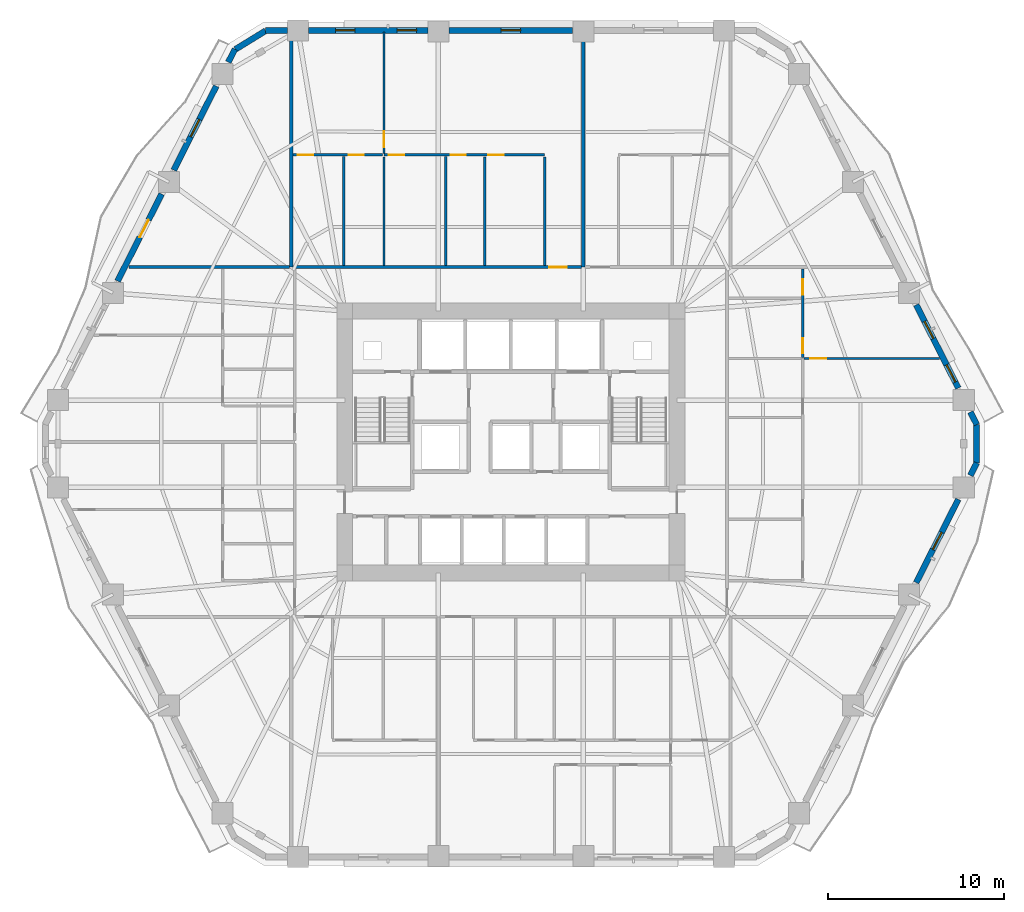
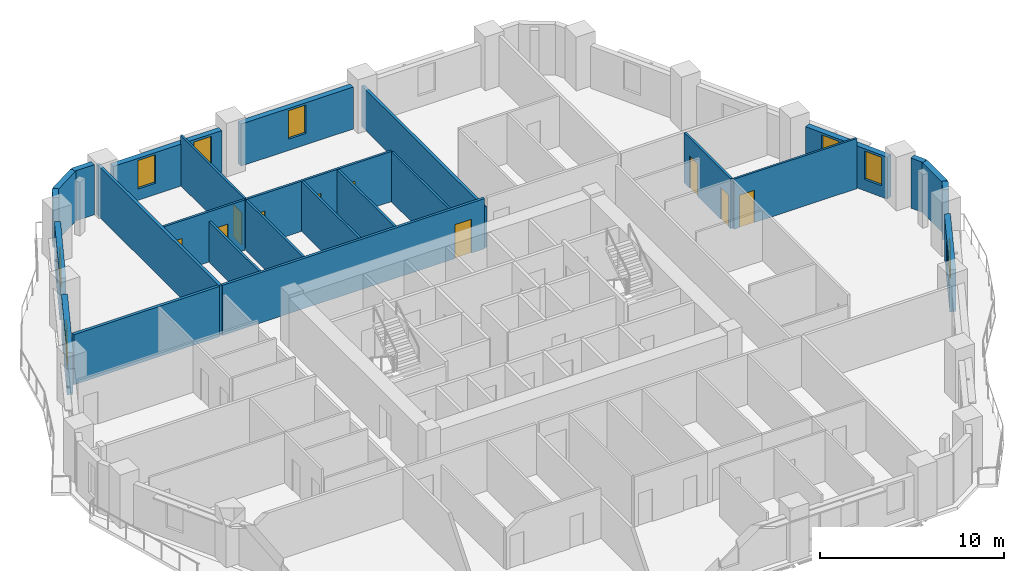
# One storey, part 7 of 14: 26 walls, 11 doors, 7 windows, 18 openings.
"""IFC4 building model written with IfcOpenShell, lengths in metres."""

from ifc_helpers import new_model, si_unit, direction, frame, frame_2d, origin, place, context, subcontext, project, spatial, rectangle, extrude, material, layer, layer_set, type_object, element, fill, save


model = new_model("IFC4")

# Units and contexts
model_context = context("Model", 3, precision=1e-05, world=origin(), true_north=direction((0.0, 1.0)))
body_context = subcontext(model_context, "Body", "Model", "MODEL_VIEW")
ifc_project = project(units=[si_unit("LENGTHUNIT", "METRE"), si_unit("AREAUNIT", "SQUARE_METRE"), si_unit("VOLUMEUNIT", "CUBIC_METRE"), si_unit("PLANEANGLEUNIT", "RADIAN"), si_unit("MASSUNIT", "GRAM", prefix="KILO")], contexts=[model_context])

# Site, building, storey
site_placement = place(None, origin())
site = spatial("IfcSite", under=ifc_project, at=site_placement, CompositionType="ELEMENT")
building_placement = place(site_placement, origin())
building = spatial("IfcBuilding", under=site, at=building_placement, Name="Cinnabar Lancet Tower", CompositionType="ELEMENT")
storey_placement = place(building_placement, frame((0.0, 0.0, 35.550048828125)))
storey = spatial("IfcBuildingStorey", under=building, at=storey_placement, Name="L08", CompositionType="ELEMENT", Elevation=35.550048828125)

# Wall, opening, door
ifc_material_1 = material(Name="Acoustic twin-stud gypsum partition", Category="gypsum")
ifc_layer_1 = layer(ifc_material_1, 0.159912109375)
ifc_layer_set_1 = layer_set([ifc_layer_1], Name="Acoustic twin-stud gypsum partition")
wall_type_1 = type_object("IfcWallType", Name="ARC-WL-CORR-160", PredefinedType="PARTITIONING", material=ifc_layer_set_1)
wall_1_placement = place(storey_placement, frame((19.9951171875, 35.85009765625, 0.0), z_axis=(0.0, 0.0, 1.0), x_axis=(1.0, 0.0, 0.0)))
wall_1 = element("IfcWall", 1, at=wall_1_placement, inside=storey, type_object=wall_type_1, Name="L08 Unit N01 Corridor Wall", PredefinedType="PARTITIONING", context=body_context, shape_type="SweptSolid", body=[
    extrude(rectangle(XDim=16.431884765625, YDim=0.159912109375, at=frame_2d((8.2158203125, 0.0))), origin(), (0.0, 0.0, 1.0), 3.329833984375),
])
opening_1_placement = place(wall_1_placement, frame((14.576904296875, 0.0, 0.0)))
opening_1 = element("IfcOpeningElement", 2, at=opening_1_placement, cuts=wall_1, Name="Opening UD-01", PredefinedType="OPENING", context=body_context, shape_type="SweptSolid", body=[
    extrude(rectangle(XDim=1.02001953125, YDim=2.25, at=frame_2d((0.510009765625, 1.125))), frame((0.0, 0.08984375, 0.0), z_axis=(0.0, -1.0, 0.0), x_axis=(1.0, 0.0, 0.0)), (0.0, 0.0, 1.0), 0.179931640625),
])
ifc_material_2 = material(Name="Solid timber fire-rated apartment entrance door", Category="wood")
door_type_1 = type_object("IfcDoorType", Name="ARC-DR-UNIT", OperationType="NOTDEFINED", PredefinedType="DOOR", material=ifc_material_2)
door_1_placement = place(opening_1_placement, origin())
door_1 = element("IfcDoor", 3, at=door_1_placement, inside=storey, type_object=door_type_1, Name="DR-L08-N01-ENT", OperationType="SINGLE_SWING_LEFT", OverallHeight=2.25, OverallWidth=1.02001953125, PredefinedType="DOOR", context=body_context, shape_type="SweptSolid", body=[
    extrude(rectangle(XDim=1.02001953125, YDim=2.25, at=frame_2d((0.510009765625, 1.125))), frame((0.0, 0.02490234375, 0.0), z_axis=(0.0, -1.0, 0.0), x_axis=(1.0, 0.0, 0.0)), (0.0, 0.0, 1.0), 0.050048828125),
])
fill(opening_1, door_1)

# Walls
ifc_material_3 = material(Name="Fire-rated twin-frame acoustic drywall", Category="gypsum")
ifc_layer_2 = layer(ifc_material_3, 0.179931640625)
ifc_layer_set_2 = layer_set([ifc_layer_2], Name="Fire-rated twin-frame acoustic drywall")
wall_type_2 = type_object("IfcWallType", Name="ARC-WL-PARTY-180", PredefinedType="PARTITIONING", material=ifc_layer_set_2)
wall_2_placement = place(storey_placement, frame((19.89990234375, 35.85009765625, 0.0), z_axis=(0.0, 0.0, 1.0), x_axis=(0.0, 1.0, 0.0)))
element("IfcWall", 4, at=wall_2_placement, inside=storey, type_object=wall_type_2, Name="PW-L08-NPTY-199", PredefinedType="PARTITIONING", context=body_context, shape_type="SweptSolid", body=[
    extrude(rectangle(XDim=13.294921875, YDim=0.179931640625, at=frame_2d((6.6474609375, 0.0))), origin(), (0.0, 0.0, 1.0), 3.329833984375),
])
wall_3_placement = place(storey_placement, frame((36.52197265625, 35.85009765625, 0.0), z_axis=(0.0, 0.0, 1.0), x_axis=(0.0, 1.0, 0.0)))
element("IfcWall", 5, at=wall_3_placement, inside=storey, type_object=wall_type_2, Name="PW-L08-NPTY-365", PredefinedType="PARTITIONING", context=body_context, shape_type="SweptSolid", body=[
    extrude(rectangle(XDim=13.294921875, YDim=0.179931640625, at=frame_2d((6.6474609375, 0.0))), origin(), (0.0, 0.0, 1.0), 2.699951171875),
])
wall_4_placement = place(storey_placement, frame((10.6650390625, 35.85009765625, 0.0), z_axis=(0.0, 0.0, 1.0), x_axis=(1.0, 0.0, 0.0)))
element("IfcWall", 6, at=wall_4_placement, inside=storey, type_object=wall_type_2, Name="PW-L08-WNB", PredefinedType="PARTITIONING", context=body_context, shape_type="SweptSolid", body=[
    extrude(rectangle(XDim=9.139892578125, YDim=0.179931640625, at=frame_2d((4.56982421875, 0.0))), origin(), (0.0, 0.0, 1.0), 3.329833984375),
])
ifc_material_4 = material(Name="Gypsum plasterboard stud partition", Category="gypsum")
ifc_layer_3 = layer(ifc_material_4, 0.125)
ifc_layer_set_3 = layer_set([ifc_layer_3], Name="Gypsum plasterboard stud partition")
wall_type_3 = type_object("IfcWallType", Name="ARC-WL-UNIT-125", PredefinedType="PARTITIONING", material=ifc_layer_set_3)
wall_5_placement = place(storey_placement, frame((34.322021484375, 35.93505859375, 0.0), z_axis=(0.0, 0.0, 1.0), x_axis=(0.0, 1.0, 0.0)))
element("IfcWall", 7, at=wall_5_placement, inside=storey, type_object=wall_type_3, Name="UW-L08-N01-FOYW", PredefinedType="PARTITIONING", context=body_context, shape_type="SweptSolid", body=[
    extrude(rectangle(XDim=6.19189453125, YDim=0.125, at=frame_2d((3.095947265625, 0.0))), origin(), (0.0, 0.0, 1.0), 3.329833984375),
])

# Wall, opening, door
wall_6_placement = place(storey_placement, frame((25.179931640625, 42.306884765625, 0.0), z_axis=(0.0, 0.0, 1.0), x_axis=(0.0, 1.0, 0.0)))
wall_6 = element("IfcWall", 8, at=wall_6_placement, inside=storey, type_object=wall_type_3, Name="UW-L08-N01-MBW", PredefinedType="PARTITIONING", context=body_context, shape_type="SweptSolid", body=[
    extrude(rectangle(XDim=6.92822265625, YDim=0.125, at=frame_2d((3.464111328125, 0.0))), origin(), (0.0, 0.0, 1.0), 3.329833984375),
])
opening_2_placement = place(wall_6_placement, frame((0.35009765625, 0.0, 0.0)))
opening_2 = element("IfcOpeningElement", 9, at=opening_2_placement, cuts=wall_6, Name="Opening RD-01", PredefinedType="OPENING", context=body_context, shape_type="SweptSolid", body=[
    extrude(rectangle(XDim=0.919921875, YDim=2.14990234375, at=frame_2d((0.4599609375, 1.074951171875))), frame((0.0, 0.072509765625, 0.0), z_axis=(0.0, -1.0, 0.0), x_axis=(1.0, 0.0, 0.0)), (0.0, 0.0, 1.0), 0.14501953125),
])
ifc_material_5 = material(Name="Engineered timber bedroom door", Category="wood")
door_type_2 = type_object("IfcDoorType", Name="ARC-DR-ROOM", OperationType="NOTDEFINED", PredefinedType="DOOR", material=ifc_material_5)
door_2_placement = place(opening_2_placement, origin())
door_2 = element("IfcDoor", 10, at=door_2_placement, inside=storey, type_object=door_type_2, Name="DR-L08-N01-MBD", OperationType="SINGLE_SWING_RIGHT", OverallHeight=2.14990234375, OverallWidth=0.919921875, PredefinedType="DOOR", context=body_context, shape_type="SweptSolid", body=[
    extrude(rectangle(XDim=0.919921875, YDim=2.14990234375, at=frame_2d((0.4599609375, 1.074951171875))), frame((0.0, 0.02490234375, 0.0), z_axis=(0.0, -1.0, 0.0), x_axis=(1.0, 0.0, 0.0)), (0.0, 0.0, 1.0), 0.050048828125),
])
fill(opening_2, door_2)

wall_7_placement = place(storey_placement, frame((49.074951171875, 30.64892578125, 0.0), z_axis=(0.0, 0.0, 1.0), x_axis=(1.0, 0.0, 0.0)))
wall_7 = element("IfcWall", 11, at=wall_7_placement, inside=storey, type_object=wall_type_3, Name="UW-L08-E01-MBN", PredefinedType="PARTITIONING", context=body_context, shape_type="SweptSolid", body=[
    extrude(rectangle(XDim=7.70703125, YDim=0.125, at=frame_2d((3.853515625, 0.0))), origin(), (0.0, 0.0, 1.0), 3.329833984375),
])
opening_3_placement = place(wall_7_placement, frame((0.35009765625, 0.0, 0.0)))
opening_3 = element("IfcOpeningElement", 12, at=opening_3_placement, cuts=wall_7, Name="Opening RD-01", PredefinedType="OPENING", context=body_context, shape_type="SweptSolid", body=[
    extrude(rectangle(XDim=0.919921875, YDim=2.14990234375, at=frame_2d((0.4599609375, 1.074951171875))), frame((0.0, 0.072509765625, 0.0), z_axis=(0.0, -1.0, 0.0), x_axis=(1.0, 0.0, 0.0)), (0.0, 0.0, 1.0), 0.14501953125),
])
door_3_placement = place(opening_3_placement, origin())
door_3 = element("IfcDoor", 13, at=door_3_placement, inside=storey, type_object=door_type_2, Name="DR-L08-E01-MBD", OperationType="SINGLE_SWING_LEFT", OverallHeight=2.14990234375, OverallWidth=0.919921875, PredefinedType="DOOR", context=body_context, shape_type="SweptSolid", body=[
    extrude(rectangle(XDim=0.919921875, YDim=2.14990234375, at=frame_2d((0.4599609375, 1.074951171875))), frame((0.0, 0.02490234375, 0.0), z_axis=(0.0, -1.0, 0.0), x_axis=(1.0, 0.0, 0.0)), (0.0, 0.0, 1.0), 0.050048828125),
])
fill(opening_3, door_3)

# Wall, openings, doors
ifc_material_6 = material(Name="Moisture-resistant cement-board plumbing wall", Category="masonry")
ifc_layer_4 = layer(ifc_material_6, 0.139892578125)
ifc_layer_set_4 = layer_set([ifc_layer_4], Name="Moisture-resistant cement-board plumbing wall")
wall_type_4 = type_object("IfcWallType", Name="ARC-WL-WET-140", PredefinedType="PLUMBINGWALL", material=ifc_layer_set_4)
wall_8_placement = place(storey_placement, frame((25.179931640625, 42.23193359375, 0.0), z_axis=(0.0, 0.0, 1.0), x_axis=(1.0, 0.0, 0.0)))
wall_8 = element("IfcWall", 14, at=wall_8_placement, inside=storey, type_object=wall_type_4, Name="UW-L08-N01-SPL", PredefinedType="PLUMBINGWALL", context=body_context, shape_type="SweptSolid", body=[
    extrude(rectangle(XDim=9.14208984375, YDim=0.139892578125, at=frame_2d((4.571044921875, 0.0))), origin(), (0.0, 0.0, 1.0), 3.329833984375),
])
opening_4_placement = place(wall_8_placement, frame((0.280029296875, 0.0, 0.0)))
opening_4 = element("IfcOpeningElement", 15, at=opening_4_placement, cuts=wall_8, Name="Opening RD-02", PredefinedType="OPENING", context=body_context, shape_type="SweptSolid", body=[
    extrude(rectangle(XDim=0.8798828125, YDim=2.14990234375, at=frame_2d((0.43994140625, 1.074951171875))), frame((0.0, 0.079833984375, 0.0), z_axis=(0.0, -1.0, 0.0), x_axis=(1.0, 0.0, 0.0)), (0.0, 0.0, 1.0), 0.159912109375),
])
opening_5_placement = place(wall_8_placement, frame((3.803955078125, 0.0, 0.0)))
opening_5 = element("IfcOpeningElement", 16, at=opening_5_placement, cuts=wall_8, Name="Opening BD-01", PredefinedType="OPENING", context=body_context, shape_type="SweptSolid", body=[
    extrude(rectangle(XDim=0.860107421875, YDim=2.10009765625, at=frame_2d((0.43017578125, 1.050048828125))), frame((0.0, 0.079833984375, 0.0), z_axis=(0.0, -1.0, 0.0), x_axis=(1.0, 0.0, 0.0)), (0.0, 0.0, 1.0), 0.159912109375),
])
opening_6_placement = place(wall_8_placement, frame((5.94189453125, 0.0, 0.0)))
opening_6 = element("IfcOpeningElement", 17, at=opening_6_placement, cuts=wall_8, Name="Opening RD-02", PredefinedType="OPENING", context=body_context, shape_type="SweptSolid", body=[
    extrude(rectangle(XDim=0.8798828125, YDim=2.14990234375, at=frame_2d((0.43994140625, 1.074951171875))), frame((0.0, 0.079833984375, 0.0), z_axis=(0.0, -1.0, 0.0), x_axis=(1.0, 0.0, 0.0)), (0.0, 0.0, 1.0), 0.159912109375),
])
ifc_material_7 = material(Name="Moisture-resistant timber bathroom door", Category="wood")
door_type_3 = type_object("IfcDoorType", Name="ARC-DR-BATH", OperationType="NOTDEFINED", PredefinedType="DOOR", material=ifc_material_7)
door_4_placement = place(opening_5_placement, origin())
door_4 = element("IfcDoor", 18, at=door_4_placement, inside=storey, type_object=door_type_3, Name="DR-L08-N01-BTH", OperationType="SINGLE_SWING_LEFT", OverallHeight=2.10009765625, OverallWidth=0.860107421875, PredefinedType="DOOR", context=body_context, shape_type="SweptSolid", body=[
    extrude(rectangle(XDim=0.860107421875, YDim=2.10009765625, at=frame_2d((0.43017578125, 1.050048828125))), frame((0.0, 0.02490234375, 0.0), z_axis=(0.0, -1.0, 0.0), x_axis=(1.0, 0.0, 0.0)), (0.0, 0.0, 1.0), 0.050048828125),
])
fill(opening_5, door_4)
ifc_material_8 = material(Name="Engineered timber study door", Category="wood")
door_type_4 = type_object("IfcDoorType", Name="ARC-DR-STUDY", OperationType="NOTDEFINED", PredefinedType="DOOR", material=ifc_material_8)
door_5_placement = place(opening_4_placement, origin())
door_5 = element("IfcDoor", 19, at=door_5_placement, inside=storey, type_object=door_type_4, Name="DR-L08-N01-BTH-WDR", OperationType="SINGLE_SWING_RIGHT", OverallHeight=2.14990234375, OverallWidth=0.8798828125, PredefinedType="DOOR", context=body_context, shape_type="SweptSolid", body=[
    extrude(rectangle(XDim=0.8798828125, YDim=2.14990234375, at=frame_2d((0.43994140625, 1.074951171875))), frame((0.0, 0.02490234375, 0.0), z_axis=(0.0, -1.0, 0.0), x_axis=(1.0, 0.0, 0.0)), (0.0, 0.0, 1.0), 0.050048828125),
])
fill(opening_4, door_5)
door_6_placement = place(opening_6_placement, origin())
door_6 = element("IfcDoor", 20, at=door_6_placement, inside=storey, type_object=door_type_4, Name="DR-L08-N01-KIT", OperationType="SINGLE_SWING_LEFT", OverallHeight=2.14990234375, OverallWidth=0.8798828125, PredefinedType="DOOR", context=body_context, shape_type="SweptSolid", body=[
    extrude(rectangle(XDim=0.8798828125, YDim=2.14990234375, at=frame_2d((0.43994140625, 1.074951171875))), frame((0.0, 0.02490234375, 0.0), z_axis=(0.0, -1.0, 0.0), x_axis=(1.0, 0.0, 0.0)), (0.0, 0.0, 1.0), 0.050048828125),
])
fill(opening_6, door_6)

wall_9_placement = place(storey_placement, frame((19.9951171875, 42.23193359375, 0.0), z_axis=(0.0, 0.0, 1.0), x_axis=(1.0, 0.0, 0.0)))
wall_9 = element("IfcWall", 21, at=wall_9_placement, inside=storey, type_object=wall_type_4, Name="UW-L08-N01-SPM", PredefinedType="PLUMBINGWALL", context=body_context, shape_type="SweptSolid", body=[
    extrude(rectangle(XDim=5.10986328125, YDim=0.139892578125, at=frame_2d((2.554931640625, 0.0))), origin(), (0.0, 0.0, 1.0), 3.329833984375),
])
opening_7_placement = place(wall_9_placement, frame((0.280029296875, 0.0, 0.0)))
opening_7 = element("IfcOpeningElement", 22, at=opening_7_placement, cuts=wall_9, Name="Opening RD-02", PredefinedType="OPENING", context=body_context, shape_type="SweptSolid", body=[
    extrude(rectangle(XDim=0.8798828125, YDim=2.14990234375, at=frame_2d((0.43994140625, 1.074951171875))), frame((0.0, 0.079833984375, 0.0), z_axis=(0.0, -1.0, 0.0), x_axis=(1.0, 0.0, 0.0)), (0.0, 0.0, 1.0), 0.159912109375),
])
opening_8_placement = place(wall_9_placement, frame((3.172119140625, 0.0, 0.0)))
opening_8 = element("IfcOpeningElement", 23, at=opening_8_placement, cuts=wall_9, Name="Opening BD-01", PredefinedType="OPENING", context=body_context, shape_type="SweptSolid", body=[
    extrude(rectangle(XDim=0.860107421875, YDim=2.10009765625, at=frame_2d((0.43017578125, 1.050048828125))), frame((0.0, 0.079833984375, 0.0), z_axis=(0.0, -1.0, 0.0), x_axis=(1.0, 0.0, 0.0)), (0.0, 0.0, 1.0), 0.159912109375),
])
door_7_placement = place(opening_8_placement, origin())
door_7 = element("IfcDoor", 24, at=door_7_placement, inside=storey, type_object=door_type_3, Name="DR-L08-N01-ENS", OperationType="SINGLE_SWING_RIGHT", OverallHeight=2.10009765625, OverallWidth=0.860107421875, PredefinedType="DOOR", context=body_context, shape_type="SweptSolid", body=[
    extrude(rectangle(XDim=0.860107421875, YDim=2.10009765625, at=frame_2d((0.43017578125, 1.050048828125))), frame((0.0, 0.02490234375, 0.0), z_axis=(0.0, -1.0, 0.0), x_axis=(1.0, 0.0, 0.0)), (0.0, 0.0, 1.0), 0.050048828125),
])
fill(opening_8, door_7)
door_8_placement = place(opening_7_placement, origin())
door_8 = element("IfcDoor", 25, at=door_8_placement, inside=storey, type_object=door_type_4, Name="DR-L08-N01-ENS-WDR", OperationType="SINGLE_SWING_LEFT", OverallHeight=2.14990234375, OverallWidth=0.8798828125, PredefinedType="DOOR", context=body_context, shape_type="SweptSolid", body=[
    extrude(rectangle(XDim=0.8798828125, YDim=2.14990234375, at=frame_2d((0.43994140625, 1.074951171875))), frame((0.0, 0.02490234375, 0.0), z_axis=(0.0, -1.0, 0.0), x_axis=(1.0, 0.0, 0.0)), (0.0, 0.0, 1.0), 0.050048828125),
])
fill(opening_7, door_8)

# Walls
for number, where, z_axis, x_axis, name in (
    (26, (30.922119140625, 35.93505859375, 0.0), (0.0, 0.0, 1.0), (0.0, 1.0, 0.0), "UW-L08-N01-KBD"),
    (27, (25.179931640625, 35.93505859375, 0.0), (0.0, 0.0, 1.0), (0.0, 1.0, 0.0), "UW-L08-N01-ENSW"),
):
    element("IfcWall", number, at=place(storey_placement, frame(where, z_axis=z_axis, x_axis=x_axis)), inside=storey, type_object=wall_type_4, Name=name, PredefinedType="PLUMBINGWALL", context=body_context, shape_type="SweptSolid", body=[
        extrude(rectangle(XDim=6.19189453125, YDim=0.139892578125, at=frame_2d((3.095947265625, 0.0))), origin(), (0.0, 0.0, 1.0), 3.329833984375),
    ])
wall_10_placement = place(storey_placement, frame((28.7041015625, 35.93505859375, 0.0), z_axis=(0.0, 0.0, 1.0), x_axis=(0.0, 1.0, 0.0)))
element("IfcWall", 28, at=wall_10_placement, inside=storey, type_object=wall_type_4, Name="UW-L08-N01-BTH-WDV", PredefinedType="PLUMBINGWALL", context=body_context, shape_type="SweptSolid", body=[
    extrude(rectangle(XDim=6.2119140625, YDim=0.139892578125, at=frame_2d((3.10595703125, 0.0))), origin(), (0.0, 0.0, 1.0), 3.329833984375),
])
wall_11_placement = place(storey_placement, frame((22.886962890625, 35.93505859375, 0.0), z_axis=(0.0, 0.0, 1.0), x_axis=(0.0, 1.0, 0.0)))
element("IfcWall", 29, at=wall_11_placement, inside=storey, type_object=wall_type_4, Name="UW-L08-N01-ENS-WDV", PredefinedType="PLUMBINGWALL", context=body_context, shape_type="SweptSolid", body=[
    extrude(rectangle(XDim=6.2119140625, YDim=0.139892578125, at=frame_2d((3.10595703125, 0.0))), origin(), (0.0, 0.0, 1.0), 2.699951171875),
])

# Wall, openings, doors
wall_12_placement = place(storey_placement, frame((49.0, 30.718994140625, 0.0), z_axis=(0.0, 0.0, 1.0), x_axis=(0.0, 1.0, 0.0)))
wall_12 = element("IfcWall", 30, at=wall_12_placement, inside=storey, type_object=wall_type_4, Name="UW-L08-E01-SPM", PredefinedType="PLUMBINGWALL", context=body_context, shape_type="SweptSolid", body=[
    extrude(rectangle(XDim=5.035888671875, YDim=0.139892578125, at=frame_2d((2.51806640625, 0.0))), origin(), (0.0, 0.0, 1.0), 3.329833984375),
])
opening_9_placement = place(wall_12_placement, frame((0.219970703125, 0.0, 0.0)))
opening_9 = element("IfcOpeningElement", 31, at=opening_9_placement, cuts=wall_12, Name="Opening BD-01", PredefinedType="OPENING", context=body_context, shape_type="SweptSolid", body=[
    extrude(rectangle(XDim=0.860107421875, YDim=2.10009765625, at=frame_2d((0.43017578125, 1.050048828125))), frame((0.0, 0.079833984375, 0.0), z_axis=(0.0, -1.0, 0.0), x_axis=(1.0, 0.0, 0.0)), (0.0, 0.0, 1.0), 0.159912109375),
])
opening_10_placement = place(wall_12_placement, frame((3.570068359375, 0.0, 0.0)))
opening_10 = element("IfcOpeningElement", 32, at=opening_10_placement, cuts=wall_12, Name="Opening RD-02", PredefinedType="OPENING", context=body_context, shape_type="SweptSolid", body=[
    extrude(rectangle(XDim=0.8798828125, YDim=2.14990234375, at=frame_2d((0.43994140625, 1.074951171875))), frame((0.0, 0.079833984375, 0.0), z_axis=(0.0, -1.0, 0.0), x_axis=(1.0, 0.0, 0.0)), (0.0, 0.0, 1.0), 0.159912109375),
])
door_9_placement = place(opening_9_placement, origin())
door_9 = element("IfcDoor", 33, at=door_9_placement, inside=storey, type_object=door_type_3, Name="DR-L08-E01-ENS", OperationType="SINGLE_SWING_LEFT", OverallHeight=2.10009765625, OverallWidth=0.860107421875, PredefinedType="DOOR", context=body_context, shape_type="SweptSolid", body=[
    extrude(rectangle(XDim=0.860107421875, YDim=2.10009765625, at=frame_2d((0.43017578125, 1.050048828125))), frame((0.0, 0.02490234375, 0.0), z_axis=(0.0, -1.0, 0.0), x_axis=(1.0, 0.0, 0.0)), (0.0, 0.0, 1.0), 0.050048828125),
])
fill(opening_9, door_9)
door_10_placement = place(opening_10_placement, origin())
door_10 = element("IfcDoor", 34, at=door_10_placement, inside=storey, type_object=door_type_4, Name="DR-L08-E01-EWDR", OperationType="SINGLE_SWING_RIGHT", OverallHeight=2.14990234375, OverallWidth=0.8798828125, PredefinedType="DOOR", context=body_context, shape_type="SweptSolid", body=[
    extrude(rectangle(XDim=0.8798828125, YDim=2.14990234375, at=frame_2d((0.43994140625, 1.074951171875))), frame((0.0, 0.02490234375, 0.0), z_axis=(0.0, -1.0, 0.0), x_axis=(1.0, 0.0, 0.0)), (0.0, 0.0, 1.0), 0.050048828125),
])
fill(opening_10, door_10)

# Walls
ifc_material_9 = material(Name="Cinnabar red clay brick", Category="masonry")
ifc_layer_5 = layer(ifc_material_9, 0.340087890625)
ifc_layer_set_5 = layer_set([ifc_layer_5], Name="Cinnabar red clay brick")
wall_type_5 = type_object("IfcWallType", Name="ENV-WL-BRK-RED-340", PredefinedType="STANDARD", material=ifc_layer_set_5)
wall_13_placement = place(storey_placement, frame((58.887939453125, 24.714111328125, 0.0), z_axis=(0.0, 0.0, 1.0), x_axis=(0.0, 1.0, 0.0)))
element("IfcWall", 35, at=wall_13_placement, inside=storey, type_object=wall_type_5, Name="L08 Chamfered Corner Brick Pier 3.1", PredefinedType="STANDARD", context=body_context, shape_type="SweptSolid", body=[
    extrude(rectangle(XDim=2.171875, YDim=0.340087890625, at=frame_2d((1.0859375, 0.0))), origin(), (0.0, 0.0, 1.0), 3.329833984375),
])
wall_14_placement = place(storey_placement, frame((18.43896484375, 49.294921875, 0.0), z_axis=(0.0, 0.0, 1.0), x_axis=(-0.851870104345, -0.523753114857, 0.0)))
element("IfcWall", 36, at=wall_14_placement, inside=storey, type_object=wall_type_5, Name="L08 Chamfered Corner Brick Pier 5.1", PredefinedType="STANDARD", context=body_context, shape_type="SweptSolid", body=[
    extrude(rectangle(XDim=2.017822265625, YDim=0.340087890625, at=frame_2d((1.0087890625, 0.0))), origin(), (0.0, 0.0, 1.0), 3.329833984375),
])

# Wall, opening, window
wall_15_placement = place(storey_placement, frame((55.465087890625, 17.90087890625, 0.0), z_axis=(0.0, 0.0, 1.0), x_axis=(0.451572088722, 0.892234637686, 0.0)))
wall_15 = element("IfcWall", 37, at=wall_15_placement, inside=storey, type_object=wall_type_5, Name="L08 Face 2 Masonry Bay Wall 4", PredefinedType="STANDARD", context=body_context, shape_type="SweptSolid", body=[
    extrude(rectangle(XDim=5.3037109375, YDim=0.340087890625, at=frame_2d((2.65185546875, 0.0))), origin(), (0.0, 0.0, 1.0), 2.786865234375),
])
opening_11_placement = place(wall_15_placement, frame((2.10205078125, 0.0, 0.75)))
opening_11 = element("IfcOpeningElement", 38, at=opening_11_placement, cuts=wall_15, Name="Opening WN-04", PredefinedType="OPENING", context=body_context, shape_type="SweptSolid", body=[
    extrude(rectangle(XDim=1.10009765625, YDim=1.886962890625, at=frame_2d((0.550048828125, 0.943359375))), frame((0.0, 0.179931640625, 0.0), z_axis=(0.0, -1.0, 0.0), x_axis=(1.0, 0.0, 0.0)), (0.0, 0.0, 1.0), 0.360107421875),
])
ifc_material_10 = material(Name="Thermally broken bronze-anodized aluminium tall lancet window", Category="aluminium")
window_type = type_object("IfcWindowType", Name="ENV-WN-LANCET-1100", PartitioningType="SINGLE_PANEL", PredefinedType="WINDOW", material=ifc_material_10)
window_1_placement = place(opening_11_placement, origin())
window_1 = element("IfcWindow", 39, at=window_1_placement, inside=storey, type_object=window_type, Name="L08 Face 2 Gothic Lancet Window 4", OverallHeight=1.886962890625, OverallWidth=1.10009765625, PartitioningType="SINGLE_PANEL", PredefinedType="WINDOW", context=body_context, shape_type="SweptSolid", body=[
    extrude(rectangle(XDim=1.10009765625, YDim=1.886962890625, at=frame_2d((0.550048828125, 0.943359375))), frame((0.0, 0.030029296875, 0.0), z_axis=(0.0, -1.0, 0.0), x_axis=(1.0, 0.0, 0.0)), (0.0, 0.0, 1.0), 0.06005859375),
])
fill(opening_11, window_1)

# Walls
for number, where, z_axis, x_axis, name in (
    (40, (58.548095703125, 23.9951171875, 0.0), (0.0, 0.0, 1.0), (0.452101093511, 0.891966704113, 0.0), "L08 Face 2 Masonry Bay Wall 5"),
    (41, (58.908935546875, 26.89306640625, 0.0), (0.0, 0.0, 1.0), (-0.452101093511, 0.891966704113, 0.0), "L08 Face 3 Masonry Bay Wall 1"),
):
    element("IfcWall", number, at=place(storey_placement, frame(where, z_axis=z_axis, x_axis=x_axis)), inside=storey, type_object=wall_type_5, Name=name, PredefinedType="STANDARD", context=body_context, shape_type="SweptSolid", body=[
        extrude(rectangle(XDim=0.798095703125, YDim=0.340087890625, at=frame_2d((0.39892578125, 0.0))), origin(), (0.0, 0.0, 1.0), 3.329833984375),
    ])

# Wall, openings, windows
wall_16_placement = place(storey_placement, frame((57.860107421875, 28.967041015625, 0.0), z_axis=(0.0, 0.0, 1.0), x_axis=(-0.451590635984, 0.892225250422, 0.0)))
wall_16 = element("IfcWall", 42, at=wall_16_placement, inside=storey, type_object=wall_type_5, Name="L08 Face 3 Masonry Bay Wall 2", PredefinedType="STANDARD", context=body_context, shape_type="SweptSolid", body=[
    extrude(rectangle(XDim=5.303466796875, YDim=0.340087890625, at=frame_2d((2.65185546875, 0.0))), origin(), (0.0, 0.0, 1.0), 2.786865234375),
])
opening_12_placement = place(wall_16_placement, frame((0.384033203125, 0.0, 0.75)))
opening_12 = element("IfcOpeningElement", 43, at=opening_12_placement, cuts=wall_16, Name="Opening WN-04", PredefinedType="OPENING", context=body_context, shape_type="SweptSolid", body=[
    extrude(rectangle(XDim=1.10009765625, YDim=1.886962890625, at=frame_2d((0.550048828125, 0.943359375))), frame((0.0, 0.179931640625, 0.0), z_axis=(0.0, -1.0, 0.0), x_axis=(1.0, 0.0, 0.0)), (0.0, 0.0, 1.0), 0.360107421875),
])
opening_13_placement = place(wall_16_placement, frame((3.156005859375, 0.0, 0.75)))
opening_13 = element("IfcOpeningElement", 44, at=opening_13_placement, cuts=wall_16, Name="Opening WN-04", PredefinedType="OPENING", context=body_context, shape_type="SweptSolid", body=[
    extrude(rectangle(XDim=1.10009765625, YDim=1.886962890625, at=frame_2d((0.550048828125, 0.943359375))), frame((0.0, 0.179931640625, 0.0), z_axis=(0.0, -1.0, 0.0), x_axis=(1.0, 0.0, 0.0)), (0.0, 0.0, 1.0), 0.360107421875),
])
window_2_placement = place(opening_12_placement, origin())
window_2 = element("IfcWindow", 45, at=window_2_placement, inside=storey, type_object=window_type, Name="L08 Face 3 Gothic Lancet Window 2", OverallHeight=1.886962890625, OverallWidth=1.10009765625, PartitioningType="SINGLE_PANEL", PredefinedType="WINDOW", context=body_context, shape_type="SweptSolid", body=[
    extrude(rectangle(XDim=1.10009765625, YDim=1.886962890625, at=frame_2d((0.550048828125, 0.943359375))), frame((0.0, 0.030029296875, 0.0), z_axis=(0.0, -1.0, 0.0), x_axis=(1.0, 0.0, 0.0)), (0.0, 0.0, 1.0), 0.06005859375),
])
fill(opening_12, window_2)
window_3_placement = place(opening_13_placement, origin())
window_3 = element("IfcWindow", 46, at=window_3_placement, inside=storey, type_object=window_type, Name="L08 Split-Bay Gothic Lancet Window 13", OverallHeight=1.886962890625, OverallWidth=1.10009765625, PartitioningType="SINGLE_PANEL", PredefinedType="WINDOW", context=body_context, shape_type="SweptSolid", body=[
    extrude(rectangle(XDim=1.10009765625, YDim=1.886962890625, at=frame_2d((0.550048828125, 0.943359375))), frame((0.0, 0.030029296875, 0.0), z_axis=(0.0, -1.0, 0.0), x_axis=(1.0, 0.0, 0.0)), (0.0, 0.0, 1.0), 0.06005859375),
])
fill(opening_13, window_3)

# Wall, opening, window
wall_17_placement = place(storey_placement, frame((35.91796875, 49.320068359375, 0.0), z_axis=(0.0, 0.0, 1.0), x_axis=(-1.0, 0.0, 0.0)))
wall_17 = element("IfcWall", 47, at=wall_17_placement, inside=storey, type_object=wall_type_5, Name="L08 Face 4 Masonry Bay Wall 3", PredefinedType="STANDARD", context=body_context, shape_type="SweptSolid", body=[
    extrude(rectangle(XDim=7.035888671875, YDim=0.340087890625, at=frame_2d((3.51806640625, 0.0))), origin(), (0.0, 0.0, 1.0), 2.786865234375),
])
opening_14_placement = place(wall_17_placement, frame((2.968017578125, 0.0, 0.75)))
opening_14 = element("IfcOpeningElement", 48, at=opening_14_placement, cuts=wall_17, Name="Opening WN-04", PredefinedType="OPENING", context=body_context, shape_type="SweptSolid", body=[
    extrude(rectangle(XDim=1.10009765625, YDim=1.886962890625, at=frame_2d((0.550048828125, 0.943359375))), frame((0.0, 0.179931640625, 0.0), z_axis=(0.0, -1.0, 0.0), x_axis=(1.0, 0.0, 0.0)), (0.0, 0.0, 1.0), 0.360107421875),
])
window_4_placement = place(opening_14_placement, origin())
window_4 = element("IfcWindow", 49, at=window_4_placement, inside=storey, type_object=window_type, Name="L08 Face 4 Gothic Lancet Window 3", OverallHeight=1.886962890625, OverallWidth=1.10009765625, PartitioningType="SINGLE_PANEL", PredefinedType="WINDOW", context=body_context, shape_type="SweptSolid", body=[
    extrude(rectangle(XDim=1.10009765625, YDim=1.886962890625, at=frame_2d((0.550048828125, 0.943359375))), frame((0.0, 0.030029296875, 0.0), z_axis=(0.0, -1.0, 0.0), x_axis=(1.0, 0.0, 0.0)), (0.0, 0.0, 1.0), 0.06005859375),
])
fill(opening_14, window_4)

# Wall, openings, windows
wall_18_placement = place(storey_placement, frame((27.674072265625, 49.320068359375, 0.0), z_axis=(0.0, 0.0, 1.0), x_axis=(-1.0, 0.0, 0.0)))
wall_18 = element("IfcWall", 50, at=wall_18_placement, inside=storey, type_object=wall_type_5, Name="L08 Face 4 Masonry Bay Wall 4", PredefinedType="STANDARD", context=body_context, shape_type="SweptSolid", body=[
    extrude(rectangle(XDim=6.787109375, YDim=0.340087890625, at=frame_2d((3.3935546875, 0.0))), origin(), (0.0, 0.0, 1.0), 2.786865234375),
])
opening_15_placement = place(wall_18_placement, frame((0.64111328125, 0.0, 0.75)))
opening_15 = element("IfcOpeningElement", 51, at=opening_15_placement, cuts=wall_18, Name="Opening WN-04", PredefinedType="OPENING", context=body_context, shape_type="SweptSolid", body=[
    extrude(rectangle(XDim=1.10009765625, YDim=1.886962890625, at=frame_2d((0.550048828125, 0.943359375))), frame((0.0, 0.179931640625, 0.0), z_axis=(0.0, -1.0, 0.0), x_axis=(1.0, 0.0, 0.0)), (0.0, 0.0, 1.0), 0.360107421875),
])
opening_16_placement = place(wall_18_placement, frame((4.14697265625, 0.0, 0.75)))
opening_16 = element("IfcOpeningElement", 52, at=opening_16_placement, cuts=wall_18, Name="Opening WN-04", PredefinedType="OPENING", context=body_context, shape_type="SweptSolid", body=[
    extrude(rectangle(XDim=1.10009765625, YDim=1.886962890625, at=frame_2d((0.550048828125, 0.943359375))), frame((0.0, 0.179931640625, 0.0), z_axis=(0.0, -1.0, 0.0), x_axis=(1.0, 0.0, 0.0)), (0.0, 0.0, 1.0), 0.360107421875),
])
window_5_placement = place(opening_15_placement, origin())
window_5 = element("IfcWindow", 53, at=window_5_placement, inside=storey, type_object=window_type, Name="L08 Face 4 Gothic Lancet Window 4", OverallHeight=1.886962890625, OverallWidth=1.10009765625, PartitioningType="SINGLE_PANEL", PredefinedType="WINDOW", context=body_context, shape_type="SweptSolid", body=[
    extrude(rectangle(XDim=1.10009765625, YDim=1.886962890625, at=frame_2d((0.550048828125, 0.943359375))), frame((0.0, 0.030029296875, 0.0), z_axis=(0.0, -1.0, 0.0), x_axis=(1.0, 0.0, 0.0)), (0.0, 0.0, 1.0), 0.06005859375),
])
fill(opening_15, window_5)
window_6_placement = place(opening_16_placement, origin())
window_6 = element("IfcWindow", 54, at=window_6_placement, inside=storey, type_object=window_type, Name="L08 Split-Bay Gothic Lancet Window 14", OverallHeight=1.886962890625, OverallWidth=1.10009765625, PartitioningType="SINGLE_PANEL", PredefinedType="WINDOW", context=body_context, shape_type="SweptSolid", body=[
    extrude(rectangle(XDim=1.10009765625, YDim=1.886962890625, at=frame_2d((0.550048828125, 0.943359375))), frame((0.0, 0.030029296875, 0.0), z_axis=(0.0, -1.0, 0.0), x_axis=(1.0, 0.0, 0.0)), (0.0, 0.0, 1.0), 0.06005859375),
])
fill(opening_16, window_6)

# Walls
wall_19_placement = place(storey_placement, frame((19.678955078125, 49.320068359375, 0.0), z_axis=(0.0, 0.0, 1.0), x_axis=(-1.0, 0.0, 0.0)))
element("IfcWall", 55, at=wall_19_placement, inside=storey, type_object=wall_type_5, Name="L08 Face 4 Masonry Bay Wall 5", PredefinedType="STANDARD", context=body_context, shape_type="SweptSolid", body=[
    extrude(rectangle(XDim=1.244873046875, YDim=0.340087890625, at=frame_2d((0.62255859375, 0.0))), origin(), (0.0, 0.0, 1.0), 3.329833984375),
])
wall_20_placement = place(storey_placement, frame((16.699951171875, 48.25390625, 0.0), z_axis=(0.0, 0.0, 1.0), x_axis=(-0.451995771866, -0.892020079491, 0.0)))
element("IfcWall", 56, at=wall_20_placement, inside=storey, type_object=wall_type_5, Name="L08 Face 5 Masonry Bay Wall 1", PredefinedType="STANDARD", context=body_context, shape_type="SweptSolid", body=[
    extrude(rectangle(XDim=0.836181640625, YDim=0.340087890625, at=frame_2d((0.41796875, 0.0))), origin(), (0.0, 0.0, 1.0), 3.329833984375),
])

# Wall, opening, window
wall_21_placement = place(storey_placement, frame((15.634033203125, 46.14599609375, 0.0), z_axis=(0.0, 0.0, 1.0), x_axis=(-0.451697561555, -0.892171123095, 0.0)))
wall_21 = element("IfcWall", 57, at=wall_21_placement, inside=storey, type_object=wall_type_5, Name="L08 Face 5 Masonry Bay Wall 2", PredefinedType="STANDARD", context=body_context, shape_type="SweptSolid", body=[
    extrude(rectangle(XDim=5.350830078125, YDim=0.340087890625, at=frame_2d((2.67529296875, 0.0))), origin(), (0.0, 0.0, 1.0), 2.786865234375),
])
opening_17_placement = place(wall_21_placement, frame((2.125, 0.0, 0.75)))
opening_17 = element("IfcOpeningElement", 58, at=opening_17_placement, cuts=wall_21, Name="Opening WN-04", PredefinedType="OPENING", context=body_context, shape_type="SweptSolid", body=[
    extrude(rectangle(XDim=1.10009765625, YDim=1.886962890625, at=frame_2d((0.550048828125, 0.943359375))), frame((0.0, 0.179931640625, 0.0), z_axis=(0.0, -1.0, 0.0), x_axis=(1.0, 0.0, 0.0)), (0.0, 0.0, 1.0), 0.360107421875),
])
window_7_placement = place(opening_17_placement, origin())
window_7 = element("IfcWindow", 59, at=window_7_placement, inside=storey, type_object=window_type, Name="L08 Face 5 Gothic Lancet Window 2", OverallHeight=1.886962890625, OverallWidth=1.10009765625, PartitioningType="SINGLE_PANEL", PredefinedType="WINDOW", context=body_context, shape_type="SweptSolid", body=[
    extrude(rectangle(XDim=1.10009765625, YDim=1.886962890625, at=frame_2d((0.550048828125, 0.943359375))), frame((0.0, 0.030029296875, 0.0), z_axis=(0.0, -1.0, 0.0), x_axis=(1.0, 0.0, 0.0)), (0.0, 0.0, 1.0), 0.06005859375),
])
fill(opening_17, window_7)

# Wall, opening, door
wall_22_placement = place(storey_placement, frame((12.529052734375, 40.010009765625, 0.0), z_axis=(0.0, 0.0, 1.0), x_axis=(-0.451627137896, -0.892206774417, 0.0)))
wall_22 = element("IfcWall", 60, at=wall_22_placement, inside=storey, type_object=wall_type_5, Name="L08 Face 5 Masonry Bay Wall 3", PredefinedType="STANDARD", context=body_context, shape_type="SweptSolid", body=[
    extrude(rectangle(XDim=5.546875, YDim=0.340087890625, at=frame_2d((2.7734375, 0.0))), origin(), (0.0, 0.0, 1.0), 2.786865234375),
])
opening_18_placement = place(wall_22_placement, frame((1.656005859375, 0.0, 0.0)))
opening_18 = element("IfcOpeningElement", 61, at=opening_18_placement, cuts=wall_22, Name="Opening TD-01", PredefinedType="OPENING", context=body_context, shape_type="SweptSolid", body=[
    extrude(rectangle(XDim=1.10009765625, YDim=2.25, at=frame_2d((0.550048828125, 1.125))), frame((0.0, 0.179931640625, 0.0), z_axis=(0.0, -1.0, 0.0), x_axis=(1.0, 0.0, 0.0)), (0.0, 0.0, 1.0), 0.360107421875),
])
ifc_material_11 = material(Name="Thermally broken low-E glazed balcony terrace door", Category="wood")
door_type_5 = type_object("IfcDoorType", Name="ARC-DR-BALC", OperationType="NOTDEFINED", PredefinedType="DOOR", material=ifc_material_11)
door_11_placement = place(opening_18_placement, origin())
door_11 = element("IfcDoor", 62, at=door_11_placement, inside=storey, type_object=door_type_5, Name="L08 Face 5 Glazed Terrace Door", OperationType="SINGLE_SWING_LEFT", OverallHeight=2.25, OverallWidth=1.10009765625, PredefinedType="DOOR", context=body_context, shape_type="SweptSolid", body=[
    extrude(rectangle(XDim=1.10009765625, YDim=2.25, at=frame_2d((0.550048828125, 1.125))), frame((0.0, 0.02490234375, 0.0), z_axis=(0.0, -1.0, 0.0), x_axis=(1.0, 0.0, 0.0)), (0.0, 0.0, 1.0), 0.050048828125),
])
fill(opening_18, door_11)

save(model, "model.ifc")
